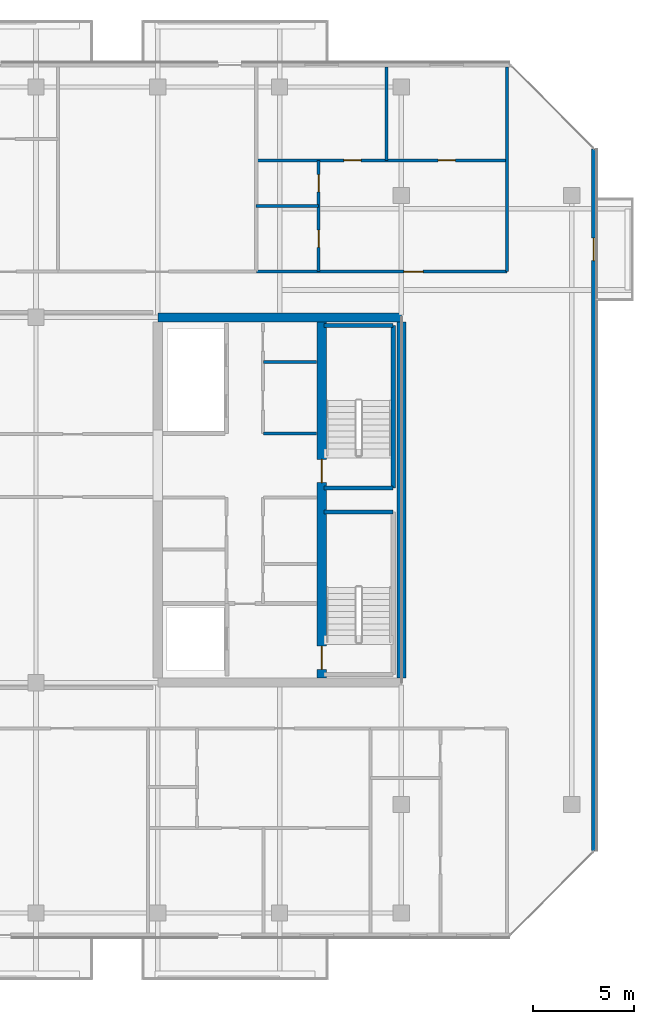
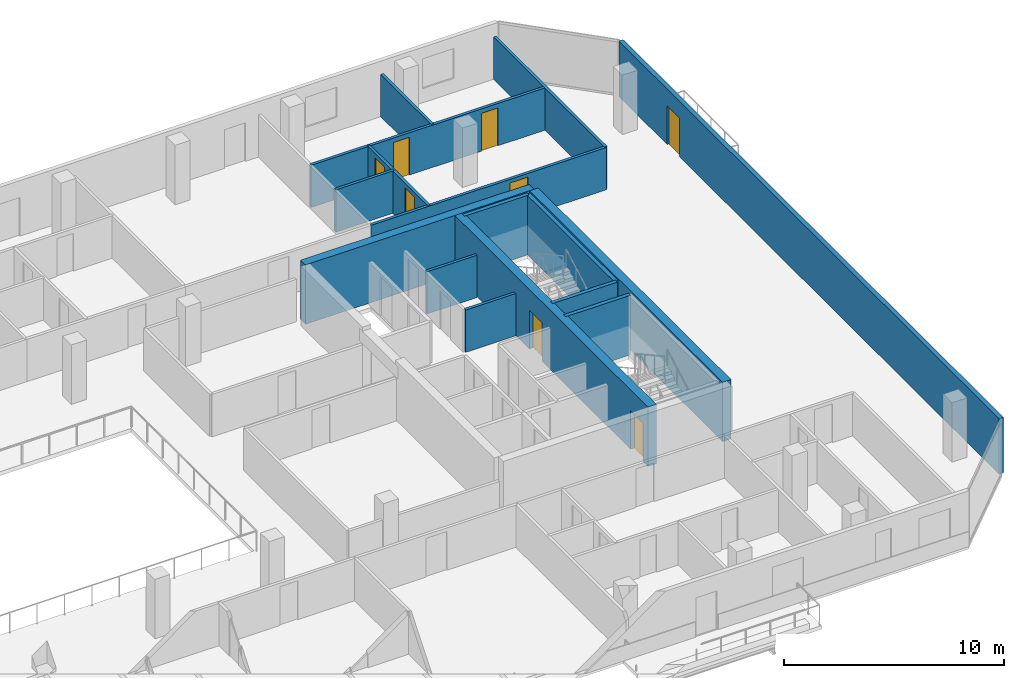
# One storey, part 23 of 29: 16 walls, 8 doors, 8 openings.
"""IFC4 building model written with IfcOpenShell, lengths in metres."""

import ifcopenshell
import ifcopenshell.guid

model = None  # the IFC model being written
_history = None  # IfcOwnerHistory: only IFC2X3 demands one
_inside = {}  # id of a spatial element -> (the spatial element, [elements in it])
_under = {}  # id of a project, library or spatial element -> (it, [spatial elements below it])
_declared = {}  # id of a project -> (the project, [libraries it declares])
_typed = {}  # id of a type object -> (the type object, [elements of that type])
_made_of = {}  # id of a material, layer set ... -> (it, [elements and type objects made of it])


def new_model(schema):
    """Start an empty IFC model of exactly this schema.

    Asked for "IFC4X3", IfcOpenShell would pick the latest addendum, in which some entities
    have other attributes; the version numbers below select the first issue.
    IFC2X3 requires an IfcOwnerHistory on every rooted entity: one is made here for all.
    """
    global model, _history
    if schema == "IFC4X3":
        model = ifcopenshell.file(schema_version=(4, 3, 0, 0))
    else:
        model = ifcopenshell.file(schema=schema)
    _inside.clear()
    _under.clear()
    _declared.clear()
    _typed.clear()
    _made_of.clear()
    _history = None
    if model.schema == "IFC2X3":
        org = make("IfcOrganization", Name="unknown")
        user = make(
            "IfcPersonAndOrganization",
            ThePerson=make("IfcPerson", FamilyName="unknown"),
            TheOrganization=org,
        )
        app = make(
            "IfcApplication",
            ApplicationDeveloper=org,
            Version="unknown",
            ApplicationFullName="unknown",
            ApplicationIdentifier="unknown",
        )
        _history = make(
            "IfcOwnerHistory",
            OwningUser=user,
            OwningApplication=app,
            ChangeAction="ADDED",
            CreationDate=0,
        )
    return model


def make(cls, **values):
    """One entity of the class cls with the attributes given. An attribute that is None is left unset."""
    return model.create_entity(
        cls, **{name: value for name, value in values.items() if value is not None}
    )


def rooted(cls, **values):
    """An entity with a GlobalId (a new one), such as an element, a storey or a relation."""
    return make(cls, GlobalId=ifcopenshell.guid.new(), OwnerHistory=_history, **values)


def si_unit(unit_type, name, prefix=None):
    """IfcSIUnit, for example si_unit("LENGTHUNIT", "METRE", prefix="MILLI")."""
    return make("IfcSIUnit", UnitType=unit_type, Prefix=prefix, Name=name)


def assignment(units):
    """IfcUnitAssignment: the units of a project."""
    return None if units is None else make("IfcUnitAssignment", Units=units)


def point(xyz):
    """IfcCartesianPoint."""
    return None if xyz is None else make("IfcCartesianPoint", Coordinates=xyz)


def direction(xyz):
    """IfcDirection."""
    return None if xyz is None else make("IfcDirection", DirectionRatios=xyz)


def frame(location, z_axis=None, x_axis=None):
    """IfcAxis2Placement3D, a coordinate frame: its origin and axes. An axis left out is left unset."""
    return make(
        "IfcAxis2Placement3D",
        Location=point(location),
        Axis=direction(z_axis),
        RefDirection=direction(x_axis),
    )


def frame_2d(location, x_axis=None):
    """IfcAxis2Placement2D, a coordinate frame in the plane: its origin and x axis."""
    return make(
        "IfcAxis2Placement2D", Location=point(location), RefDirection=direction(x_axis)
    )


def origin():
    """The frame at (0, 0, 0) with its axes left unset."""
    return frame((0.0, 0.0, 0.0))


def place(relative_to, where):
    """IfcLocalPlacement: puts the frame where relative to a parent placement (None: the world)."""
    return make(
        "IfcLocalPlacement", PlacementRelTo=relative_to, RelativePlacement=where
    )


def context(
    kind, dimensions, precision=None, world=None, true_north=None, identifier=None
):
    """IfcGeometricRepresentationContext, for example the 3D "Model" context."""
    return make(
        "IfcGeometricRepresentationContext",
        ContextIdentifier=identifier,
        ContextType=kind,
        CoordinateSpaceDimension=dimensions,
        Precision=precision,
        WorldCoordinateSystem=world,
        TrueNorth=true_north,
    )


def subcontext(parent, identifier, kind, view, scale=None):
    """IfcGeometricRepresentationSubContext, for example "Body" below "Model"."""
    return make(
        "IfcGeometricRepresentationSubContext",
        ContextIdentifier=identifier,
        ContextType=kind,
        ParentContext=parent,
        TargetScale=scale,
        TargetView=view,
    )


def project(units=None, contexts=None):
    """IfcProject with its units and contexts."""
    return rooted(
        "IfcProject",
        Name="project",
        RepresentationContexts=contexts,
        UnitsInContext=assignment(units),
    )


def spatial(cls, under=None, at=None, **own):
    """A site, building, storey or space (cls), placed at a placement, below another one or the project."""
    s = rooted(cls, ObjectPlacement=at, **own)
    if under is not None:
        _under.setdefault(under.id(), (under, []))[1].append(s)
    return s


def profile(cls, at=None, kind="AREA", **sizes):
    """A parametric profile (cls). Its sizes go by their IFC names, for example OverallWidth=200.0."""
    return make(cls, ProfileType=kind, Position=at, **sizes)


def rectangle(**sizes):
    """IfcRectangleProfileDef."""
    return profile("IfcRectangleProfileDef", **sizes)


def extrude(swept, where, along, depth):
    """IfcExtrudedAreaSolid: the profile swept, set in the frame where, extruded along a direction by depth."""
    return make(
        "IfcExtrudedAreaSolid",
        SweptArea=swept,
        Position=where,
        ExtrudedDirection=direction(along),
        Depth=depth,
    )


def shape(context_of_items, identifier, shape_type, items):
    """IfcShapeRepresentation: the items that make up one representation, for example the "Body"."""
    return make(
        "IfcShapeRepresentation",
        ContextOfItems=context_of_items,
        RepresentationIdentifier=identifier,
        RepresentationType=shape_type,
        Items=items,
    )


def material(Name=None, Category=None):
    """IfcMaterial."""
    return make("IfcMaterial", Name=Name, Category=Category)


def layer(
    of_material, thickness, ventilated=None, Name=None, Category=None, Priority=None
):
    """IfcMaterialLayer: one layer of a wall or slab, of a material (None: an air gap)."""
    return make(
        "IfcMaterialLayer",
        Material=of_material,
        LayerThickness=thickness,
        IsVentilated=ventilated,
        Name=Name,
        Category=Category,
        Priority=Priority,
    )


def layer_set(layers, Name=None):
    """IfcMaterialLayerSet."""
    return make("IfcMaterialLayerSet", MaterialLayers=layers, LayerSetName=Name)


def made_of(thing, what):
    """Note that an element or type object is made of a material, layer set ...; save() writes the relation."""
    if what is not None:
        _made_of.setdefault(what.id(), (what, []))[1].append(thing)
    return thing


def type_object(cls, material=None, **own):
    """A type object (cls), such as IfcWallType, which elements share."""
    return made_of(rooted(cls, **own), material)


def element(
    cls,
    number,
    at=None,
    inside=None,
    cuts=None,
    type_object=None,
    material=None,
    context=None,
    identifier="Body",
    shape_type=None,
    held_by="IfcProductDefinitionShape",
    body=None,
    shapes=None,
    **own,
):
    """One element of the class cls, such as IfcWall. Its Tag is "e" and its number.

    at: its placement. inside: the storey or other place that contains it. cuts: it is an
    opening in that element (IfcRelVoidsElement). A single representation is given by context,
    identifier, shape_type and body (its items); several are given by shapes. held_by: the class
    of the entity that holds the representations. save() writes the other relations.
    """
    e = rooted(cls, Tag="e%d" % number, ObjectPlacement=at, **own)
    if body is not None:
        shapes = [shape(context, identifier, shape_type, body)]
    if shapes is not None:
        e.Representation = make(held_by, Representations=shapes)
    if inside is not None:
        _inside.setdefault(inside.id(), (inside, []))[1].append(e)
    if cuts is not None:
        rooted(
            "IfcRelVoidsElement", RelatingBuildingElement=cuts, RelatedOpeningElement=e
        )
    if type_object is not None:
        _typed.setdefault(type_object.id(), (type_object, []))[1].append(e)
    return made_of(e, material)


def fill(opening, filler):
    """IfcRelFillsElement: the door or window that sits in an opening."""
    return rooted(
        "IfcRelFillsElement",
        RelatingOpeningElement=opening,
        RelatedBuildingElement=filler,
    )


def aggregate(whole, parts):
    """IfcRelAggregates: a whole, such as a stair, and the parts it consists of."""
    return rooted("IfcRelAggregates", RelatingObject=whole, RelatedObjects=parts)


def save(model, path):
    """Write the relations noted so far, then the file.

    IfcRelAggregates (storeys below a building ...), IfcRelContainedInSpatialStructure (elements
    in a storey), IfcRelDefinesByType, IfcRelAssociatesMaterial and IfcRelDeclares: one each for
    every whole, place, type object, material and project.
    """
    for whole, parts in _under.values():
        aggregate(whole, parts)
    for where, things in _inside.values():
        rooted(
            "IfcRelContainedInSpatialStructure",
            RelatedElements=things,
            RelatingStructure=where,
        )
    for kind, things in _typed.values():
        rooted("IfcRelDefinesByType", RelatedObjects=things, RelatingType=kind)
    for what, things in _made_of.values():
        rooted("IfcRelAssociatesMaterial", RelatedObjects=things, RelatingMaterial=what)
    for by, libraries in _declared.values():
        rooted("IfcRelDeclares", RelatingContext=by, RelatedDefinitions=libraries)
    model.write(path)


model = new_model("IFC4")

# Units and contexts
model_context = context("Model", 3, precision=1e-05, world=origin(), true_north=direction((0.0, 1.0)))
body_context = subcontext(model_context, "Body", "Model", "MODEL_VIEW")
ifc_project = project(units=[si_unit("LENGTHUNIT", "METRE"), si_unit("AREAUNIT", "SQUARE_METRE"), si_unit("VOLUMEUNIT", "CUBIC_METRE"), si_unit("PLANEANGLEUNIT", "RADIAN"), si_unit("MASSUNIT", "GRAM", prefix="KILO")], contexts=[model_context])

# Site, building, storey
site_placement = place(None, origin())
site = spatial("IfcSite", under=ifc_project, at=site_placement, CompositionType="ELEMENT")
building_placement = place(site_placement, origin())
building = spatial("IfcBuilding", under=site, at=building_placement, Name="Tanjung Sevakor Pilgrim Tower", CompositionType="ELEMENT")
storey_placement = place(building_placement, frame((0.0, 0.0, 188.429931640625)))
storey = spatial("IfcBuildingStorey", under=building, at=storey_placement, Name="L52", CompositionType="ELEMENT", Elevation=188.429931640625)

# Walls
ifc_material_1 = material(Name="Concrete C60/75", Category="concrete")
ifc_layer_1 = layer(ifc_material_1, 0.449951171875)
ifc_layer_set_1 = layer_set([ifc_layer_1], Name="WALL-CW-450")
wall_type_1 = type_object("IfcWallType", Name="WALL-CW-450", PredefinedType="SHEAR", material=ifc_layer_set_1)
wall_1_placement = place(storey_placement, frame((90.0, 42.60009765625, 0.0), z_axis=(0.0, 0.0, 1.0), x_axis=(-1.0, 0.0, 0.0)))
element("IfcWall", 1, at=wall_1_placement, inside=storey, type_object=wall_type_1, Name="L52 E Core North Shear Wall", PredefinedType="SHEAR", context=body_context, shape_type="SweptSolid", body=[
    extrude(rectangle(XDim=12.0, YDim=0.449951171875, at=frame_2d((6.0, 0.0))), origin(), (0.0, 0.0, 1.0), 3.300048828125),
])
wall_2_placement = place(storey_placement, frame((90.0, 24.824951171875, 0.0), z_axis=(0.0, 0.0, 1.0), x_axis=(0.0, 1.0, 0.0)))
element("IfcWall", 2, at=wall_2_placement, inside=storey, type_object=wall_type_1, Name="L52 E Core Outer Shear Wall", PredefinedType="SHEAR", context=body_context, shape_type="SweptSolid", body=[
    extrude(rectangle(XDim=17.550048828125, YDim=0.449951171875, at=frame_2d((8.77490234375, 0.0))), origin(), (0.0, 0.0, 1.0), 3.300048828125),
])

# Wall, openings, doors
wall_3_placement = place(storey_placement, frame((86.074951171875, 24.824951171875, 0.0), z_axis=(0.0, 0.0, 1.0), x_axis=(0.0, 1.0, 0.0)))
wall_3 = element("IfcWall", 3, at=wall_3_placement, inside=storey, type_object=wall_type_1, Name="L52 E Core Stair Spine Wall", PredefinedType="SHEAR", context=body_context, shape_type="SweptSolid", body=[
    extrude(rectangle(XDim=17.550048828125, YDim=0.449951171875, at=frame_2d((8.77490234375, 0.0))), origin(), (0.0, 0.0, 1.0), 3.300048828125),
])
opening_1_placement = place(wall_3_placement, frame((0.425048828125, 0.0, 0.0)))
opening_1 = element("IfcOpeningElement", 4, at=opening_1_placement, cuts=wall_3, Name="Opening ID-ST1", PredefinedType="OPENING", context=body_context, shape_type="SweptSolid", body=[
    extrude(rectangle(XDim=1.14990234375, YDim=2.14990234375, at=frame_2d((0.574951171875, 1.074951171875))), frame((0.0, 0.23486328125, 0.0), z_axis=(0.0, -1.0, 0.0), x_axis=(1.0, 0.0, 0.0)), (0.0, 0.0, 1.0), 0.469970703125),
])
opening_2_placement = place(wall_3_placement, frame((9.625, 0.0, 0.0)))
opening_2 = element("IfcOpeningElement", 5, at=opening_2_placement, cuts=wall_3, Name="Opening ID-ST1", PredefinedType="OPENING", context=body_context, shape_type="SweptSolid", body=[
    extrude(rectangle(XDim=1.14990234375, YDim=2.14990234375, at=frame_2d((0.574951171875, 1.074951171875))), frame((0.0, 0.23486328125, 0.0), z_axis=(0.0, -1.0, 0.0), x_axis=(1.0, 0.0, 0.0)), (0.0, 0.0, 1.0), 0.469970703125),
])
ifc_material_2 = material(Name="Fire-Rated Steel S355J2", Category="steel")
door_type_1 = type_object("IfcDoorType", Name="DT-FIRE-1150", OperationType="NOTDEFINED", PredefinedType="DOOR", material=ifc_material_2)
door_1_placement = place(opening_1_placement, origin())
door_1 = element("IfcDoor", 6, at=door_1_placement, inside=storey, type_object=door_type_1, Name="L52 TS-E1 Stair Fire Door", OperationType="SINGLE_SWING_RIGHT", OverallHeight=2.14990234375, OverallWidth=1.14990234375, PredefinedType="DOOR", context=body_context, shape_type="SweptSolid", body=[
    extrude(rectangle(XDim=1.14990234375, YDim=2.14990234375, at=frame_2d((0.574951171875, 1.074951171875))), frame((0.0, 0.02490234375, 0.0), z_axis=(0.0, -1.0, 0.0), x_axis=(1.0, 0.0, 0.0)), (0.0, 0.0, 1.0), 0.050048828125),
])
fill(opening_1, door_1)
door_2_placement = place(opening_2_placement, origin())
door_2 = element("IfcDoor", 7, at=door_2_placement, inside=storey, type_object=door_type_1, Name="L52 TS-E2 Stair Fire Door", OperationType="SINGLE_SWING_LEFT", OverallHeight=2.14990234375, OverallWidth=1.14990234375, PredefinedType="DOOR", context=body_context, shape_type="SweptSolid", body=[
    extrude(rectangle(XDim=1.14990234375, YDim=2.14990234375, at=frame_2d((0.574951171875, 1.074951171875))), frame((0.0, 0.02490234375, 0.0), z_axis=(0.0, -1.0, 0.0), x_axis=(1.0, 0.0, 0.0)), (0.0, 0.0, 1.0), 0.050048828125),
])
fill(opening_2, door_2)

# Walls
ifc_material_3 = material(Name="Concrete C40/50", Category="concrete")
ifc_layer_2 = layer(ifc_material_3, 0.14990234375)
ifc_layer_set_2 = layer_set([ifc_layer_2], Name="WT-COMP-150")
wall_type_2 = type_object("IfcWallType", Name="WT-COMP-150", PredefinedType="SOLIDWALL", material=ifc_layer_set_2)
for number, where, z_axis, x_axis, name in (
    (8, (83.199951171875, 36.8798828125, 0.0), (0.0, 0.0, 1.0), (1.0, 0.0, 0.0), "L52 Partition IW-L52-022"),
    (9, (83.199951171875, 40.389892578125, 0.0), (0.0, 0.0, 1.0), (1.0, 0.0, 0.0), "L52 Partition IW-L52-023"),
):
    element("IfcWall", number, at=place(storey_placement, frame(where, z_axis=z_axis, x_axis=x_axis)), inside=storey, type_object=wall_type_2, Name=name, PredefinedType="SOLIDWALL", context=body_context, shape_type="SweptSolid", body=[
        extrude(rectangle(XDim=2.630126953125, YDim=0.14990234375, at=frame_2d((1.31494140625, 0.0))), origin(), (0.0, 0.0, 1.0), 2.35009765625),
    ])
wall_4_placement = place(storey_placement, frame((95.199951171875, 44.85009765625, 0.0), z_axis=(0.0, 0.0, 1.0), x_axis=(0.0, 1.0, 0.0)))
element("IfcWall", 10, at=wall_4_placement, inside=storey, type_object=wall_type_2, Name="L52 Partition IW-L52-085", PredefinedType="SOLIDWALL", context=body_context, shape_type="SweptSolid", body=[
    extrude(rectangle(XDim=10.079833984375, YDim=0.14990234375, at=frame_2d((5.0400390625, 0.0))), origin(), (0.0, 0.0, 1.0), 2.35009765625),
])

# Wall, opening, door
wall_5_placement = place(storey_placement, frame((82.850341796875, 44.85009765625, 0.0), z_axis=(0.0, 0.0, 1.0), x_axis=(1.0, 0.0, 0.0)))
wall_5 = element("IfcWall", 11, at=wall_5_placement, inside=storey, type_object=wall_type_2, Name="L52 Partition IW-L52-103", PredefinedType="SOLIDWALL", context=body_context, shape_type="SweptSolid", body=[
    extrude(rectangle(XDim=12.349609375, YDim=0.14990234375, at=frame_2d((6.1748046875, 0.0))), origin(), (0.0, 0.0, 1.0), 2.35009765625),
])
opening_3_placement = place(wall_5_placement, frame((7.274658203125, 0.0, 0.0)))
opening_3 = element("IfcOpeningElement", 12, at=opening_3_placement, cuts=wall_5, Name="Opening ID-FD2", PredefinedType="OPENING", context=body_context, shape_type="SweptSolid", body=[
    extrude(rectangle(XDim=0.949951171875, YDim=2.14990234375, at=frame_2d((0.47509765625, 1.074951171875))), frame((0.0, 0.0849609375, 0.0), z_axis=(0.0, -1.0, 0.0), x_axis=(1.0, 0.0, 0.0)), (0.0, 0.0, 1.0), 0.169921875),
])
ifc_material_4 = material(Name="Fire-Rated Timber", Category="wood")
door_type_2 = type_object("IfcDoorType", Name="DT-FIRE-950", OperationType="NOTDEFINED", PredefinedType="DOOR", material=ifc_material_4)
door_3_placement = place(opening_3_placement, origin())
door_3 = element("IfcDoor", 13, at=door_3_placement, inside=storey, type_object=door_type_2, Name="Suite Entrance", OperationType="SINGLE_SWING_LEFT", OverallHeight=2.14990234375, OverallWidth=0.949951171875, PredefinedType="DOOR", context=body_context, shape_type="SweptSolid", body=[
    extrude(rectangle(XDim=0.949951171875, YDim=2.14990234375, at=frame_2d((0.47509765625, 1.074951171875))), frame((0.0, 0.02490234375, 0.0), z_axis=(0.0, -1.0, 0.0), x_axis=(1.0, 0.0, 0.0)), (0.0, 0.0, 1.0), 0.050048828125),
])
fill(opening_3, door_3)

ifc_material_5 = material(Name="Precast concrete C45/55", Category="concrete")
ifc_layer_3 = layer(ifc_material_5, 0.219970703125)
ifc_layer_set_3 = layer_set([ifc_layer_3], Name="WT-EW-STN4")
wall_type_3 = type_object("IfcWallType", Name="WT-EW-STN4", PredefinedType="SOLIDWALL", material=ifc_layer_set_3)
wall_6_placement = place(storey_placement, frame((99.489990234375, 16.295654296875, 0.0), z_axis=(0.0, 0.0, 1.0), x_axis=(0.0, 1.0, 0.0)))
wall_6 = element("IfcWall", 14, at=wall_6_placement, inside=storey, type_object=wall_type_3, Name="L52 MAIN Exterior Wall 7", PredefinedType="SOLIDWALL", context=body_context, shape_type="SweptSolid", body=[
    extrude(rectangle(XDim=34.608642578125, YDim=0.219970703125, at=frame_2d((17.30419921875, 0.0))), origin(), (0.0, 0.0, 1.0), 3.080078125),
])
opening_4_placement = place(wall_6_placement, frame((29.1044921875, 0.0, 0.0)))
opening_4 = element("IfcOpeningElement", 15, at=opening_4_placement, cuts=wall_6, Name="Opening ED-BAL-1100", PredefinedType="OPENING", context=body_context, shape_type="SweptSolid", body=[
    extrude(rectangle(XDim=1.10009765625, YDim=2.14990234375, at=frame_2d((0.550048828125, 1.074951171875))), frame((0.0, 0.119873046875, 0.0), z_axis=(0.0, -1.0, 0.0), x_axis=(1.0, 0.0, 0.0)), (0.0, 0.0, 1.0), 0.239990234375),
])
ifc_material_6 = material(Name="Anodised Aluminium and Laminated Glass", Category="aluminium")
door_type_3 = type_object("IfcDoorType", Name="DTYP-ED-BAL-1100", OperationType="NOTDEFINED", PredefinedType="DOOR", material=ifc_material_6)
door_4_placement = place(opening_4_placement, frame((1.10009765625, 0.0, 0.0), z_axis=(0.0, 0.0, 1.0), x_axis=(-1.0, 0.0, 0.0)))
door_4 = element("IfcDoor", 16, at=door_4_placement, inside=storey, type_object=door_type_3, Name="L52 East Loggia Door MAIN-E1", OperationType="SINGLE_SWING_LEFT", OverallHeight=2.14990234375, OverallWidth=1.10009765625, PredefinedType="DOOR", context=body_context, shape_type="SweptSolid", body=[
    extrude(rectangle(XDim=1.10009765625, YDim=2.14990234375, at=frame_2d((0.550048828125, 1.074951171875))), frame((0.0, 0.02490234375, 0.0), z_axis=(0.0, -1.0, 0.0), x_axis=(1.0, 0.0, 0.0)), (0.0, 0.0, 1.0), 0.050048828125),
])
fill(opening_4, door_4)

# Walls
ifc_material_7 = material(Name="Concrete C40/50", Category="concrete")
ifc_layer_4 = layer(ifc_material_7, 0.199951171875)
ifc_layer_set_4 = layer_set([ifc_layer_4], Name="WT-FIRE-200")
wall_type_4 = type_object("IfcWallType", Name="WT-FIRE-200", PredefinedType="SOLIDWALL", material=ifc_layer_set_4)
for number, where, z_axis, x_axis, name in (
    (17, (89.60009765625, 33.0, 0.0), (0.0, 0.0, 1.0), (-1.0, 0.0, 0.0), "L52 TS-E1 Shaft Wall 3"),
    (18, (86.199951171875, 34.199951171875, 0.0), (0.0, 0.0, 1.0), (1.0, 0.0, 0.0), "L52 TS-E2 Shaft Wall 1"),
):
    element("IfcWall", number, at=place(storey_placement, frame(where, z_axis=z_axis, x_axis=x_axis)), inside=storey, type_object=wall_type_4, Name=name, PredefinedType="SOLIDWALL", context=body_context, shape_type="SweptSolid", body=[
        extrude(rectangle(XDim=3.400146484375, YDim=0.199951171875, at=frame_2d((1.7001953125, 0.0))), origin(), (0.0, 0.0, 1.0), 3.300048828125),
    ])
wall_7_placement = place(storey_placement, frame((89.60009765625, 34.199951171875, 0.0), z_axis=(0.0, 0.0, 1.0), x_axis=(0.0, 1.0, 0.0)))
element("IfcWall", 19, at=wall_7_placement, inside=storey, type_object=wall_type_4, Name="L52 TS-E2 Shaft Wall 2", PredefinedType="SOLIDWALL", context=body_context, shape_type="SweptSolid", body=[
    extrude(rectangle(XDim=8.0, YDim=0.199951171875, at=frame_2d((4.0, 0.0))), origin(), (0.0, 0.0, 1.0), 3.300048828125),
])
wall_8_placement = place(storey_placement, frame((89.60009765625, 42.199951171875, 0.0), z_axis=(0.0, 0.0, 1.0), x_axis=(-1.0, 0.0, 0.0)))
element("IfcWall", 20, at=wall_8_placement, inside=storey, type_object=wall_type_4, Name="L52 TS-E2 Shaft Wall 3", PredefinedType="SOLIDWALL", context=body_context, shape_type="SweptSolid", body=[
    extrude(rectangle(XDim=3.400146484375, YDim=0.199951171875, at=frame_2d((1.7001953125, 0.0))), origin(), (0.0, 0.0, 1.0), 3.300048828125),
])
ifc_material_8 = material(Name="Gypsum Board Partition", Category="gypsum board")
ifc_layer_5 = layer(ifc_material_8, 0.14990234375)
ifc_layer_set_5 = layer_set([ifc_layer_5], Name="WT-PART-150")
wall_type_5 = type_object("IfcWallType", Name="WT-PART-150", PredefinedType="PARTITIONING", material=ifc_layer_set_5)
wall_9_placement = place(storey_placement, frame((82.850341796875, 48.0869140625, 0.0), z_axis=(0.0, 0.0, 1.0), x_axis=(1.0, 0.0, 0.0)))
element("IfcWall", 21, at=wall_9_placement, inside=storey, type_object=wall_type_5, Name="L52 Partition IW-L52-099", PredefinedType="PARTITIONING", context=body_context, shape_type="SweptSolid", body=[
    extrude(rectangle(XDim=3.069580078125, YDim=0.14990234375, at=frame_2d((1.53466796875, 0.0))), origin(), (0.0, 0.0, 1.0), 2.35009765625),
])

# Wall, openings, doors
wall_10_placement = place(storey_placement, frame((85.919921875, 44.85009765625, 0.0), z_axis=(0.0, 0.0, 1.0), x_axis=(0.0, 1.0, 0.0)))
wall_10 = element("IfcWall", 22, at=wall_10_placement, inside=storey, type_object=wall_type_5, Name="L52 Partition IW-L52-100", PredefinedType="PARTITIONING", context=body_context, shape_type="SweptSolid", body=[
    extrude(rectangle(XDim=5.486083984375, YDim=0.14990234375, at=frame_2d((2.7431640625, 0.0))), origin(), (0.0, 0.0, 1.0), 2.35009765625),
])
opening_5_placement = place(wall_10_placement, frame((1.193359375, 0.0, 0.0)))
opening_5 = element("IfcOpeningElement", 23, at=opening_5_placement, cuts=wall_10, Name="Opening ID-WC1", PredefinedType="OPENING", context=body_context, shape_type="SweptSolid", body=[
    extrude(rectangle(XDim=0.85009765625, YDim=2.10009765625, at=frame_2d((0.425048828125, 1.050048828125))), frame((0.0, 0.0849609375, 0.0), z_axis=(0.0, -1.0, 0.0), x_axis=(1.0, 0.0, 0.0)), (0.0, 0.0, 1.0), 0.169921875),
])
opening_6_placement = place(wall_10_placement, frame((3.9365234375, 0.0, 0.0)))
opening_6 = element("IfcOpeningElement", 24, at=opening_6_placement, cuts=wall_10, Name="Opening ID-WC1", PredefinedType="OPENING", context=body_context, shape_type="SweptSolid", body=[
    extrude(rectangle(XDim=0.85009765625, YDim=2.10009765625, at=frame_2d((0.425048828125, 1.050048828125))), frame((0.0, 0.0849609375, 0.0), z_axis=(0.0, -1.0, 0.0), x_axis=(1.0, 0.0, 0.0)), (0.0, 0.0, 1.0), 0.169921875),
])
ifc_material_9 = material(Name="Moisture-Resistant Timber", Category="wood")
door_type_4 = type_object("IfcDoorType", Name="DT-INT-850", OperationType="NOTDEFINED", PredefinedType="DOOR", material=ifc_material_9)
door_5_placement = place(opening_5_placement, origin())
door_5 = element("IfcDoor", 25, at=door_5_placement, inside=storey, type_object=door_type_4, Name="Suite Kitchenette Door", OperationType="SINGLE_SWING_LEFT", OverallHeight=2.10009765625, OverallWidth=0.85009765625, PredefinedType="DOOR", context=body_context, shape_type="SweptSolid", body=[
    extrude(rectangle(XDim=0.85009765625, YDim=2.10009765625, at=frame_2d((0.425048828125, 1.050048828125))), frame((0.0, 0.02490234375, 0.0), z_axis=(0.0, -1.0, 0.0), x_axis=(1.0, 0.0, 0.0)), (0.0, 0.0, 1.0), 0.050048828125),
])
fill(opening_5, door_5)
door_6_placement = place(opening_6_placement, origin())
door_6 = element("IfcDoor", 26, at=door_6_placement, inside=storey, type_object=door_type_4, Name="Suite Bathroom Door", OperationType="SINGLE_SWING_RIGHT", OverallHeight=2.10009765625, OverallWidth=0.85009765625, PredefinedType="DOOR", context=body_context, shape_type="SweptSolid", body=[
    extrude(rectangle(XDim=0.85009765625, YDim=2.10009765625, at=frame_2d((0.425048828125, 1.050048828125))), frame((0.0, 0.02490234375, 0.0), z_axis=(0.0, -1.0, 0.0), x_axis=(1.0, 0.0, 0.0)), (0.0, 0.0, 1.0), 0.050048828125),
])
fill(opening_6, door_6)

# Wall
wall_11_placement = place(storey_placement, frame((89.272216796875, 50.336181640625, 0.0), z_axis=(0.0, 0.0, 1.0), x_axis=(0.0, 1.0, 0.0)))
element("IfcWall", 27, at=wall_11_placement, inside=storey, type_object=wall_type_5, Name="L52 Partition IW-L52-101", PredefinedType="PARTITIONING", context=body_context, shape_type="SweptSolid", body=[
    extrude(rectangle(XDim=4.59375, YDim=0.14990234375, at=frame_2d((2.296875, 0.0))), origin(), (0.0, 0.0, 1.0), 2.35009765625),
])

# Wall, openings, doors
wall_12_placement = place(storey_placement, frame((82.850341796875, 50.336181640625, 0.0), z_axis=(0.0, 0.0, 1.0), x_axis=(1.0, 0.0, 0.0)))
wall_12 = element("IfcWall", 28, at=wall_12_placement, inside=storey, type_object=wall_type_5, Name="L52 Partition IW-L52-102", PredefinedType="PARTITIONING", context=body_context, shape_type="SweptSolid", body=[
    extrude(rectangle(XDim=12.349609375, YDim=0.14990234375, at=frame_2d((6.1748046875, 0.0))), origin(), (0.0, 0.0, 1.0), 2.35009765625),
])
opening_7_placement = place(wall_12_placement, frame((4.32080078125, 0.0, 0.0)))
opening_7 = element("IfcOpeningElement", 29, at=opening_7_placement, cuts=wall_12, Name="Opening ID-WC1", PredefinedType="OPENING", context=body_context, shape_type="SweptSolid", body=[
    extrude(rectangle(XDim=0.85009765625, YDim=2.10009765625, at=frame_2d((0.425048828125, 1.050048828125))), frame((0.0, 0.0849609375, 0.0), z_axis=(0.0, -1.0, 0.0), x_axis=(1.0, 0.0, 0.0)), (0.0, 0.0, 1.0), 0.169921875),
])
opening_8_placement = place(wall_12_placement, frame((8.960693359375, 0.0, 0.0)))
opening_8 = element("IfcOpeningElement", 30, at=opening_8_placement, cuts=wall_12, Name="Opening ID-WC1", PredefinedType="OPENING", context=body_context, shape_type="SweptSolid", body=[
    extrude(rectangle(XDim=0.85009765625, YDim=2.10009765625, at=frame_2d((0.425048828125, 1.050048828125))), frame((0.0, 0.0849609375, 0.0), z_axis=(0.0, -1.0, 0.0), x_axis=(1.0, 0.0, 0.0)), (0.0, 0.0, 1.0), 0.169921875),
])
door_7_placement = place(opening_7_placement, origin())
door_7 = element("IfcDoor", 31, at=door_7_placement, inside=storey, type_object=door_type_4, Name="Suite Bedroom 1 Door", OperationType="SINGLE_SWING_LEFT", OverallHeight=2.10009765625, OverallWidth=0.85009765625, PredefinedType="DOOR", context=body_context, shape_type="SweptSolid", body=[
    extrude(rectangle(XDim=0.85009765625, YDim=2.10009765625, at=frame_2d((0.425048828125, 1.050048828125))), frame((0.0, 0.02490234375, 0.0), z_axis=(0.0, -1.0, 0.0), x_axis=(1.0, 0.0, 0.0)), (0.0, 0.0, 1.0), 0.050048828125),
])
fill(opening_7, door_7)
door_8_placement = place(opening_8_placement, origin())
door_8 = element("IfcDoor", 32, at=door_8_placement, inside=storey, type_object=door_type_4, Name="Suite Bedroom 2 Door", OperationType="SINGLE_SWING_RIGHT", OverallHeight=2.10009765625, OverallWidth=0.85009765625, PredefinedType="DOOR", context=body_context, shape_type="SweptSolid", body=[
    extrude(rectangle(XDim=0.85009765625, YDim=2.10009765625, at=frame_2d((0.425048828125, 1.050048828125))), frame((0.0, 0.02490234375, 0.0), z_axis=(0.0, -1.0, 0.0), x_axis=(1.0, 0.0, 0.0)), (0.0, 0.0, 1.0), 0.050048828125),
])
fill(opening_8, door_8)

save(model, "model.ifc")
